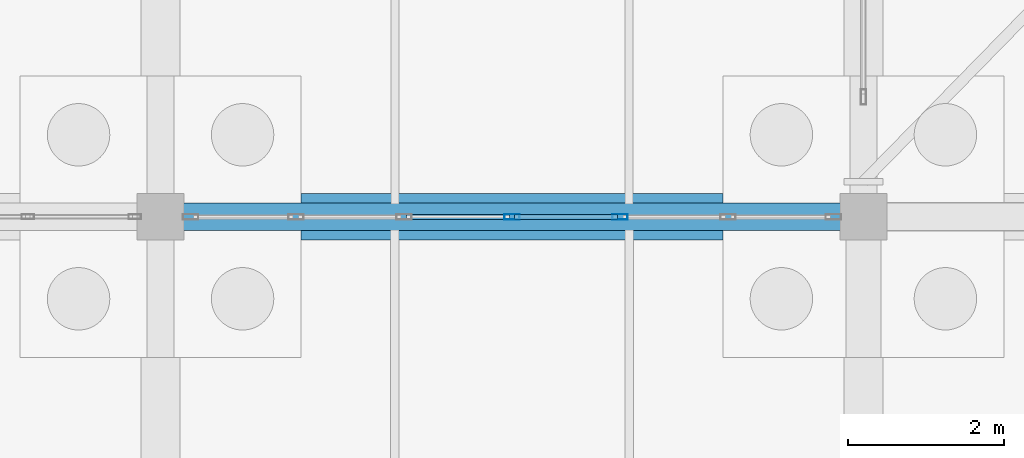
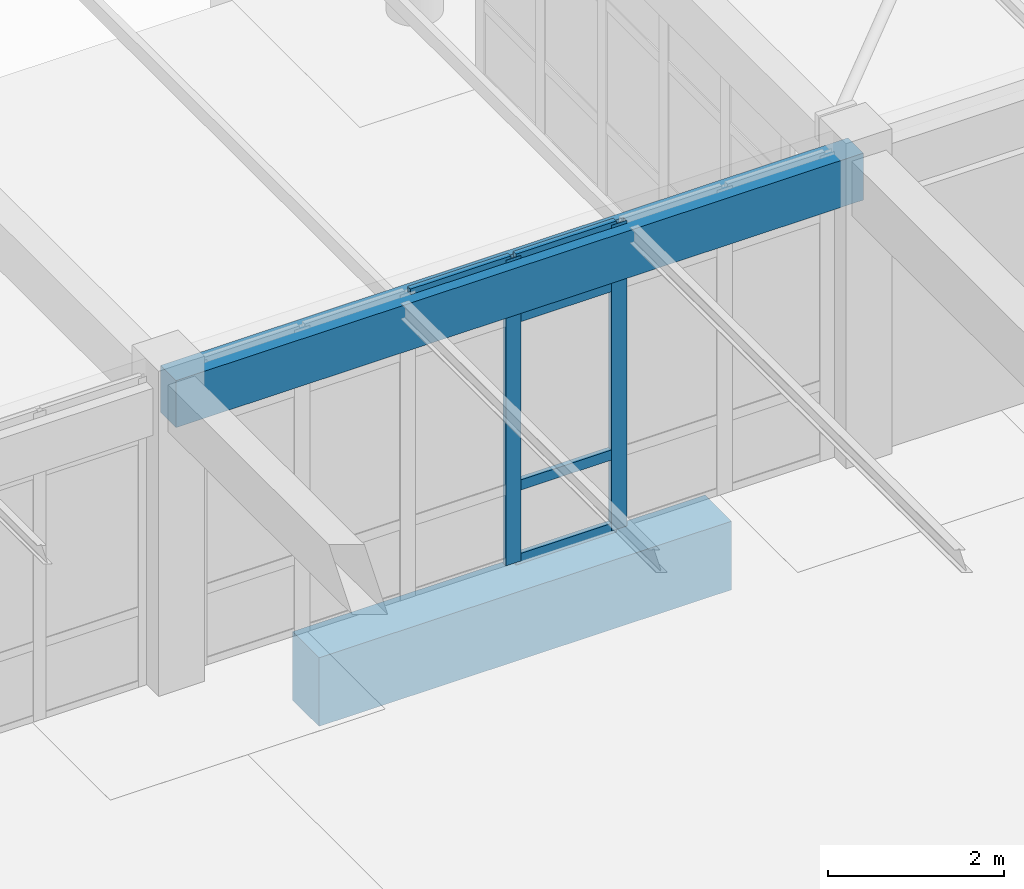
# One storey, part 133 of 186: 7 members, 2 beams, 1 element without a shape of its own.
"""IFC4 building model written with IfcOpenShell, lengths in metres."""

import ifcopenshell
import ifcopenshell.guid

model = None  # the IFC model being written
_history = None  # IfcOwnerHistory: only IFC2X3 demands one
_inside = {}  # id of a spatial element -> (the spatial element, [elements in it])
_under = {}  # id of a project, library or spatial element -> (it, [spatial elements below it])
_declared = {}  # id of a project -> (the project, [libraries it declares])
_typed = {}  # id of a type object -> (the type object, [elements of that type])
_made_of = {}  # id of a material, layer set ... -> (it, [elements and type objects made of it])


def new_model(schema):
    """Start an empty IFC model of exactly this schema.

    Asked for "IFC4X3", IfcOpenShell would pick the latest addendum, in which some entities
    have other attributes; the version numbers below select the first issue.
    IFC2X3 requires an IfcOwnerHistory on every rooted entity: one is made here for all.
    """
    global model, _history
    if schema == "IFC4X3":
        model = ifcopenshell.file(schema_version=(4, 3, 0, 0))
    else:
        model = ifcopenshell.file(schema=schema)
    _inside.clear()
    _under.clear()
    _declared.clear()
    _typed.clear()
    _made_of.clear()
    _history = None
    if model.schema == "IFC2X3":
        org = make("IfcOrganization", Name="unknown")
        user = make(
            "IfcPersonAndOrganization",
            ThePerson=make("IfcPerson", FamilyName="unknown"),
            TheOrganization=org,
        )
        app = make(
            "IfcApplication",
            ApplicationDeveloper=org,
            Version="unknown",
            ApplicationFullName="unknown",
            ApplicationIdentifier="unknown",
        )
        _history = make(
            "IfcOwnerHistory",
            OwningUser=user,
            OwningApplication=app,
            ChangeAction="ADDED",
            CreationDate=0,
        )
    return model


def make(cls, **values):
    """One entity of the class cls with the attributes given. An attribute that is None is left unset."""
    return model.create_entity(
        cls, **{name: value for name, value in values.items() if value is not None}
    )


def rooted(cls, **values):
    """An entity with a GlobalId (a new one), such as an element, a storey or a relation."""
    return make(cls, GlobalId=ifcopenshell.guid.new(), OwnerHistory=_history, **values)


def si_unit(unit_type, name, prefix=None):
    """IfcSIUnit, for example si_unit("LENGTHUNIT", "METRE", prefix="MILLI")."""
    return make("IfcSIUnit", UnitType=unit_type, Prefix=prefix, Name=name)


def assignment(units):
    """IfcUnitAssignment: the units of a project."""
    return None if units is None else make("IfcUnitAssignment", Units=units)


def point(xyz):
    """IfcCartesianPoint."""
    return None if xyz is None else make("IfcCartesianPoint", Coordinates=xyz)


def direction(xyz):
    """IfcDirection."""
    return None if xyz is None else make("IfcDirection", DirectionRatios=xyz)


def frame(location, z_axis=None, x_axis=None):
    """IfcAxis2Placement3D, a coordinate frame: its origin and axes. An axis left out is left unset."""
    return make(
        "IfcAxis2Placement3D",
        Location=point(location),
        Axis=direction(z_axis),
        RefDirection=direction(x_axis),
    )


def frame_2d(location, x_axis=None):
    """IfcAxis2Placement2D, a coordinate frame in the plane: its origin and x axis."""
    return make(
        "IfcAxis2Placement2D", Location=point(location), RefDirection=direction(x_axis)
    )


def origin():
    """The frame at (0, 0, 0) with its axes left unset."""
    return frame((0.0, 0.0, 0.0))


def origin_2d():
    """The frame at (0, 0) in the plane with its x axis left unset."""
    return frame_2d((0.0, 0.0))


def place(relative_to, where):
    """IfcLocalPlacement: puts the frame where relative to a parent placement (None: the world)."""
    return make(
        "IfcLocalPlacement", PlacementRelTo=relative_to, RelativePlacement=where
    )


def context(
    kind, dimensions, precision=None, world=None, true_north=None, identifier=None
):
    """IfcGeometricRepresentationContext, for example the 3D "Model" context."""
    return make(
        "IfcGeometricRepresentationContext",
        ContextIdentifier=identifier,
        ContextType=kind,
        CoordinateSpaceDimension=dimensions,
        Precision=precision,
        WorldCoordinateSystem=world,
        TrueNorth=true_north,
    )


def subcontext(parent, identifier, kind, view, scale=None):
    """IfcGeometricRepresentationSubContext, for example "Body" below "Model"."""
    return make(
        "IfcGeometricRepresentationSubContext",
        ContextIdentifier=identifier,
        ContextType=kind,
        ParentContext=parent,
        TargetScale=scale,
        TargetView=view,
    )


def project(units=None, contexts=None):
    """IfcProject with its units and contexts."""
    return rooted(
        "IfcProject",
        Name="project",
        RepresentationContexts=contexts,
        UnitsInContext=assignment(units),
    )


def spatial(cls, under=None, at=None, **own):
    """A site, building, storey or space (cls), placed at a placement, below another one or the project."""
    s = rooted(cls, ObjectPlacement=at, **own)
    if under is not None:
        _under.setdefault(under.id(), (under, []))[1].append(s)
    return s


def profile(cls, at=None, kind="AREA", **sizes):
    """A parametric profile (cls). Its sizes go by their IFC names, for example OverallWidth=200.0."""
    return make(cls, ProfileType=kind, Position=at, **sizes)


def rectangle(**sizes):
    """IfcRectangleProfileDef."""
    return profile("IfcRectangleProfileDef", **sizes)


def hollow_rectangle(**sizes):
    """IfcRectangleHollowProfileDef."""
    return profile("IfcRectangleHollowProfileDef", **sizes)


def extrude(swept, where, along, depth):
    """IfcExtrudedAreaSolid: the profile swept, set in the frame where, extruded along a direction by depth."""
    return make(
        "IfcExtrudedAreaSolid",
        SweptArea=swept,
        Position=where,
        ExtrudedDirection=direction(along),
        Depth=depth,
    )


def shape(context_of_items, identifier, shape_type, items):
    """IfcShapeRepresentation: the items that make up one representation, for example the "Body"."""
    return make(
        "IfcShapeRepresentation",
        ContextOfItems=context_of_items,
        RepresentationIdentifier=identifier,
        RepresentationType=shape_type,
        Items=items,
    )


def material(Name=None, Category=None):
    """IfcMaterial."""
    return make("IfcMaterial", Name=Name, Category=Category)


def layer(
    of_material, thickness, ventilated=None, Name=None, Category=None, Priority=None
):
    """IfcMaterialLayer: one layer of a wall or slab, of a material (None: an air gap)."""
    return make(
        "IfcMaterialLayer",
        Material=of_material,
        LayerThickness=thickness,
        IsVentilated=ventilated,
        Name=Name,
        Category=Category,
        Priority=Priority,
    )


def layer_set(layers, Name=None):
    """IfcMaterialLayerSet."""
    return make("IfcMaterialLayerSet", MaterialLayers=layers, LayerSetName=Name)


def material_profile(
    of_material, cross_section, Name=None, Category=None, Priority=None
):
    """IfcMaterialProfile: a cross section and its material."""
    return make(
        "IfcMaterialProfile",
        Name=Name,
        Material=of_material,
        Profile=cross_section,
        Priority=Priority,
        Category=Category,
    )


def profile_set(profiles, Name=None, composite=None):
    """IfcMaterialProfileSet."""
    return make(
        "IfcMaterialProfileSet",
        Name=Name,
        MaterialProfiles=profiles,
        CompositeProfile=composite,
    )


def made_of(thing, what):
    """Note that an element or type object is made of a material, layer set ...; save() writes the relation."""
    if what is not None:
        _made_of.setdefault(what.id(), (what, []))[1].append(thing)
    return thing


def type_object(cls, material=None, **own):
    """A type object (cls), such as IfcWallType, which elements share."""
    return made_of(rooted(cls, **own), material)


def element(
    cls,
    number,
    at=None,
    inside=None,
    cuts=None,
    type_object=None,
    material=None,
    context=None,
    identifier="Body",
    shape_type=None,
    held_by="IfcProductDefinitionShape",
    body=None,
    shapes=None,
    **own,
):
    """One element of the class cls, such as IfcWall. Its Tag is "e" and its number.

    at: its placement. inside: the storey or other place that contains it. cuts: it is an
    opening in that element (IfcRelVoidsElement). A single representation is given by context,
    identifier, shape_type and body (its items); several are given by shapes. held_by: the class
    of the entity that holds the representations. save() writes the other relations.
    """
    e = rooted(cls, Tag="e%d" % number, ObjectPlacement=at, **own)
    if body is not None:
        shapes = [shape(context, identifier, shape_type, body)]
    if shapes is not None:
        e.Representation = make(held_by, Representations=shapes)
    if inside is not None:
        _inside.setdefault(inside.id(), (inside, []))[1].append(e)
    if cuts is not None:
        rooted(
            "IfcRelVoidsElement", RelatingBuildingElement=cuts, RelatedOpeningElement=e
        )
    if type_object is not None:
        _typed.setdefault(type_object.id(), (type_object, []))[1].append(e)
    return made_of(e, material)


def aggregate(whole, parts):
    """IfcRelAggregates: a whole, such as a stair, and the parts it consists of."""
    return rooted("IfcRelAggregates", RelatingObject=whole, RelatedObjects=parts)


def save(model, path):
    """Write the relations noted so far, then the file.

    IfcRelAggregates (storeys below a building ...), IfcRelContainedInSpatialStructure (elements
    in a storey), IfcRelDefinesByType, IfcRelAssociatesMaterial and IfcRelDeclares: one each for
    every whole, place, type object, material and project.
    """
    for whole, parts in _under.values():
        aggregate(whole, parts)
    for where, things in _inside.values():
        rooted(
            "IfcRelContainedInSpatialStructure",
            RelatedElements=things,
            RelatingStructure=where,
        )
    for kind, things in _typed.values():
        rooted("IfcRelDefinesByType", RelatedObjects=things, RelatingType=kind)
    for what, things in _made_of.values():
        rooted("IfcRelAssociatesMaterial", RelatedObjects=things, RelatingMaterial=what)
    for by, libraries in _declared.values():
        rooted("IfcRelDeclares", RelatingContext=by, RelatedDefinitions=libraries)
    model.write(path)


model = new_model("IFC4")

# Units and contexts
model_context = context("Model", 3, precision=1e-05, world=origin(), true_north=direction((0.0, 1.0)))
body_context = subcontext(model_context, "Body", "Model", "MODEL_VIEW")
ifc_project = project(units=[si_unit("LENGTHUNIT", "METRE"), si_unit("AREAUNIT", "SQUARE_METRE"), si_unit("VOLUMEUNIT", "CUBIC_METRE"), si_unit("PLANEANGLEUNIT", "RADIAN"), si_unit("MASSUNIT", "GRAM", prefix="KILO")], contexts=[model_context])

# Site, building, storey
site_placement = place(None, origin())
site = spatial("IfcSite", under=ifc_project, at=site_placement, CompositionType="ELEMENT")
building_placement = place(site_placement, origin())
building = spatial("IfcBuilding", under=site, at=building_placement, Name="Ornek Quay Market", CompositionType="ELEMENT")
storey_placement = place(building_placement, origin())
storey = spatial("IfcBuildingStorey", under=building, at=storey_placement, Name="L00", CompositionType="ELEMENT", Elevation=0.0)

# Beams
ifc_material_1 = material(Name="Concrete C35/45", Category="concrete")
ifc_material_profile_1 = material_profile(ifc_material_1, rectangle(XDim=0.35009765625, YDim=0.64990234375, at=origin_2d()), Name="RC 350x650", Category="concrete")
ifc_profile_set_1 = profile_set([ifc_material_profile_1], Name="Concrete C35/45")
beam_type_1 = type_object("IfcBeamType", Name="BM-CONC-350x650", PredefinedType="BEAM", material=ifc_profile_set_1)
beam_1_placement = place(storey_placement, frame((153.0, 110.0, 3.864990234375), z_axis=(1.0, 0.0, 0.0), x_axis=(0.0, 1.0, 0.0)))
element("IfcBeam", 1, at=beam_1_placement, inside=storey, type_object=beam_type_1, Name="Primary beam B-CN1-036", PredefinedType="BEAM", context=body_context, shape_type="SweptSolid", body=[
    extrude(rectangle(XDim=0.35009765625, YDim=0.64990234375, at=origin_2d()), origin(), (0.0, 0.0, 1.0), 9.0),
])
ifc_material_profile_2 = material_profile(ifc_material_1, rectangle(XDim=0.60009765625, YDim=0.949951171875, at=origin_2d()), Name="RC 600x950", Category="concrete")
ifc_profile_set_2 = profile_set([ifc_material_profile_2], Name="Concrete C35/45")
beam_type_2 = type_object("IfcBeamType", Name="BM-GB-600x950", PredefinedType="BEAM", material=ifc_profile_set_2)
beam_2_placement = place(storey_placement, frame((154.800048828125, 110.0, -0.675048828125), z_axis=(1.0, 0.0, 0.0), x_axis=(0.0, 1.0, 0.0)))
element("IfcBeam", 2, at=beam_2_placement, inside=storey, type_object=beam_type_2, Name="Ground tie beam GB-353", PredefinedType="BEAM", context=body_context, shape_type="SweptSolid", body=[
    extrude(rectangle(XDim=0.60009765625, YDim=0.949951171875, at=origin_2d()), origin(), (0.0, 0.0, 1.0), 5.39990234375),
])

# Curtain wall, members
ifc_material_2 = material(Name="Anodised bronze aluminium and triple low-e glass", Category="aluminium")
ifc_layer = layer(ifc_material_2, 0.18994140625, Name="Anodised bronze aluminium and triple low-e glass", Category="aluminium")
ifc_layer_set = layer_set([ifc_layer], Name="Anodised bronze aluminium and triple low-e glass")
curtain_wall_type = type_object("IfcCurtainWallType", Name="CW-FC-MOD1500", PredefinedType="USERDEFINED", material=ifc_layer_set)
curtain_wall_placement = place(storey_placement, origin())
curtain_wall = element("IfcCurtainWall", 3, at=curtain_wall_placement, inside=storey, type_object=curtain_wall_type, Name="Curtain wall CW-079", ObjectType="CURTAIN WALL", PredefinedType="USERDEFINED")
ifc_material_3 = material(Name="Anodised aluminium 6063-T6", Category="aluminium")
ifc_material_profile_3 = material_profile(ifc_material_3, hollow_rectangle(XDim=0.070068359375, YDim=0.199951171875, WallThickness=0.0048828125, at=origin_2d()), Name="CW-MUL-70x200", Category="aluminium")
ifc_profile_set_3 = profile_set([ifc_material_profile_3], Name="Anodised aluminium 6063-T6")
member_type_1 = type_object("IfcMemberType", Name="CW-MUL-70x200", PredefinedType="MULLION", material=ifc_profile_set_3)
member_1_placement = place(storey_placement, frame((157.5, 110.0, 0.0), z_axis=(0.0, 0.0, 1.0), x_axis=(0.0, 1.0, 0.0)))
member_1 = element("IfcMember", 4, at=member_1_placement, type_object=member_type_1, Name="CW-079 mullion 4", PredefinedType="MULLION", context=body_context, shape_type="SweptSolid", body=[
    extrude(hollow_rectangle(XDim=0.070068359375, YDim=0.199951171875, WallThickness=0.0048828125, at=origin_2d()), origin(), (0.0, 0.0, 1.0), 4.22998046875),
])
member_2_placement = place(storey_placement, frame((158.88330078125, 110.0, 0.0), z_axis=(0.0, 0.0, 1.0), x_axis=(0.0, 1.0, 0.0)))
member_2 = element("IfcMember", 5, at=member_2_placement, type_object=member_type_1, Name="CW-079 mullion 5", PredefinedType="MULLION", context=body_context, shape_type="SweptSolid", body=[
    extrude(hollow_rectangle(XDim=0.070068359375, YDim=0.199951171875, WallThickness=0.0048828125, at=origin_2d()), origin(), (0.0, 0.0, 1.0), 4.22998046875),
])
ifc_material_profile_4 = material_profile(ifc_material_3, hollow_rectangle(XDim=0.06494140625, YDim=0.139892578125, WallThickness=0.00439453125, at=origin_2d()), Name="CW-TRN-65x140", Category="aluminium")
ifc_profile_set_4 = profile_set([ifc_material_profile_4], Name="Anodised aluminium 6063-T6")
member_type_2 = type_object("IfcMemberType", Name="CW-TRN-65x140", PredefinedType="USERDEFINED", material=ifc_profile_set_4)
member_3_placement = place(storey_placement, frame((156.151611328125, 110.0, 4.197509765625), z_axis=(1.0, 0.0, 0.0), x_axis=(0.0, 1.0, 0.0)))
member_3 = element("IfcMember", 6, at=member_3_placement, type_object=member_type_2, Name="CW-079 transom 3.4", ObjectType="TRANSOM", PredefinedType="USERDEFINED", context=body_context, shape_type="SweptSolid", body=[
    extrude(hollow_rectangle(XDim=0.06494140625, YDim=0.139892578125, WallThickness=0.00439453125, at=origin_2d()), origin(), (0.0, 0.0, 1.0), 1.3134765625),
])
member_4_placement = place(storey_placement, frame((157.534912109375, 110.0, 0.032470703125), z_axis=(1.0, 0.0, 0.0), x_axis=(0.0, 1.0, 0.0)))
member_4 = element("IfcMember", 7, at=member_4_placement, type_object=member_type_2, Name="CW-079 transom 4.1", ObjectType="TRANSOM", PredefinedType="USERDEFINED", context=body_context, shape_type="SweptSolid", body=[
    extrude(hollow_rectangle(XDim=0.06494140625, YDim=0.139892578125, WallThickness=0.00439453125, at=origin_2d()), origin(), (0.0, 0.0, 1.0), 1.3134765625),
])
member_5_placement = place(storey_placement, frame((157.534912109375, 110.0, 1.050048828125), z_axis=(1.0, 0.0, 0.0), x_axis=(0.0, 1.0, 0.0)))
member_5 = element("IfcMember", 8, at=member_5_placement, type_object=member_type_2, Name="CW-079 transom 4.2", ObjectType="TRANSOM", PredefinedType="USERDEFINED", context=body_context, shape_type="SweptSolid", body=[
    extrude(hollow_rectangle(XDim=0.06494140625, YDim=0.139892578125, WallThickness=0.00439453125, at=origin_2d()), origin(), (0.0, 0.0, 1.0), 1.3134765625),
])
member_6_placement = place(storey_placement, frame((157.534912109375, 110.0, 3.3798828125), z_axis=(1.0, 0.0, 0.0), x_axis=(0.0, 1.0, 0.0)))
member_6 = element("IfcMember", 9, at=member_6_placement, type_object=member_type_2, Name="CW-079 transom 4.3", ObjectType="TRANSOM", PredefinedType="USERDEFINED", context=body_context, shape_type="SweptSolid", body=[
    extrude(hollow_rectangle(XDim=0.06494140625, YDim=0.139892578125, WallThickness=0.00439453125, at=origin_2d()), origin(), (0.0, 0.0, 1.0), 1.3134765625),
])
member_7_placement = place(storey_placement, frame((157.534912109375, 110.0, 4.197509765625), z_axis=(1.0, 0.0, 0.0), x_axis=(0.0, 1.0, 0.0)))
member_7 = element("IfcMember", 10, at=member_7_placement, type_object=member_type_2, Name="CW-079 transom 4.4", ObjectType="TRANSOM", PredefinedType="USERDEFINED", context=body_context, shape_type="SweptSolid", body=[
    extrude(hollow_rectangle(XDim=0.06494140625, YDim=0.139892578125, WallThickness=0.00439453125, at=origin_2d()), origin(), (0.0, 0.0, 1.0), 1.3134765625),
])
aggregate(curtain_wall, [member_1, member_2, member_3, member_4, member_5, member_6, member_7])

save(model, "model.ifc")
